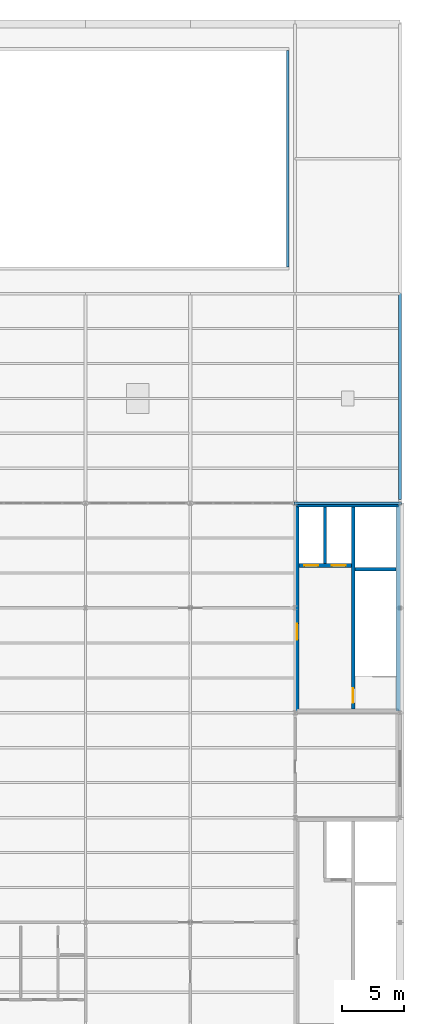
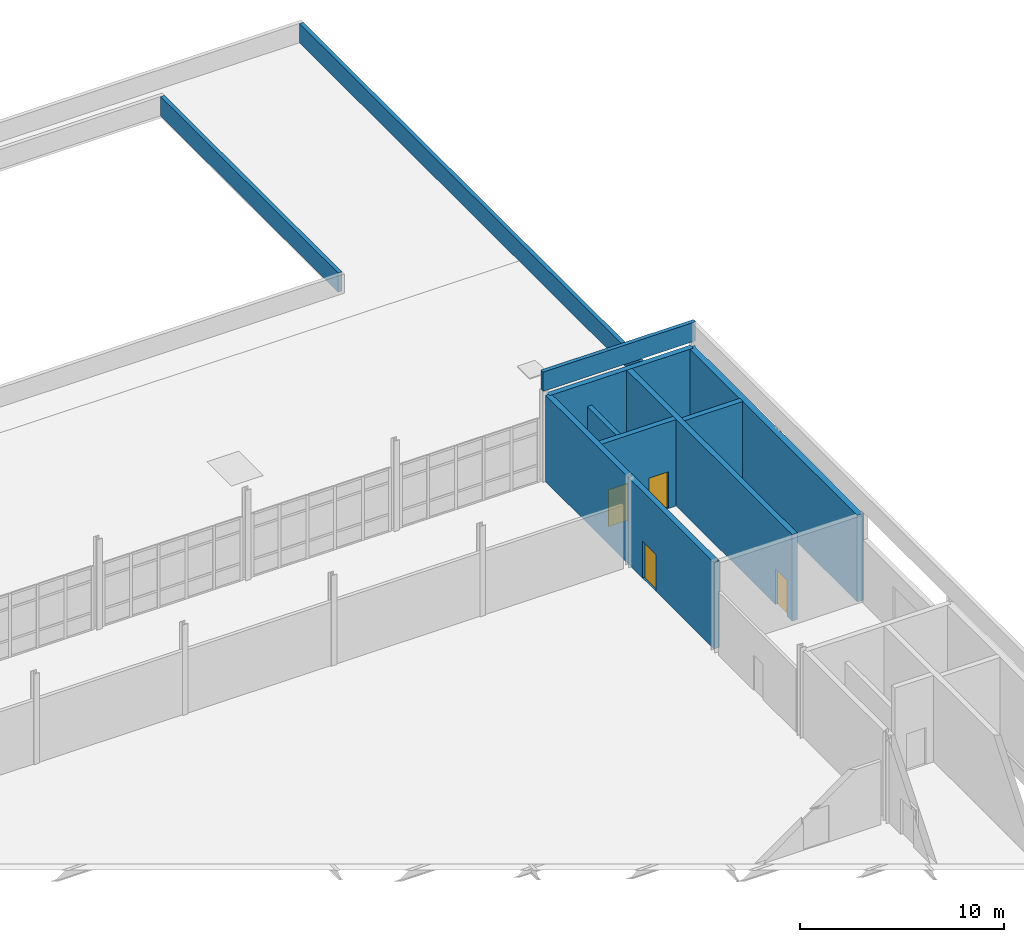
# One storey, part 32 of 33: 10 walls, 4 doors, 4 openings.
"""IFC4 building model written with IfcOpenShell, lengths in metres."""

import ifcopenshell
import ifcopenshell.guid

model = None  # the IFC model being written
_history = None  # IfcOwnerHistory: only IFC2X3 demands one
_inside = {}  # id of a spatial element -> (the spatial element, [elements in it])
_under = {}  # id of a project, library or spatial element -> (it, [spatial elements below it])
_declared = {}  # id of a project -> (the project, [libraries it declares])
_typed = {}  # id of a type object -> (the type object, [elements of that type])
_made_of = {}  # id of a material, layer set ... -> (it, [elements and type objects made of it])


def new_model(schema):
    """Start an empty IFC model of exactly this schema.

    Asked for "IFC4X3", IfcOpenShell would pick the latest addendum, in which some entities
    have other attributes; the version numbers below select the first issue.
    IFC2X3 requires an IfcOwnerHistory on every rooted entity: one is made here for all.
    """
    global model, _history
    if schema == "IFC4X3":
        model = ifcopenshell.file(schema_version=(4, 3, 0, 0))
    else:
        model = ifcopenshell.file(schema=schema)
    _inside.clear()
    _under.clear()
    _declared.clear()
    _typed.clear()
    _made_of.clear()
    _history = None
    if model.schema == "IFC2X3":
        org = make("IfcOrganization", Name="unknown")
        user = make(
            "IfcPersonAndOrganization",
            ThePerson=make("IfcPerson", FamilyName="unknown"),
            TheOrganization=org,
        )
        app = make(
            "IfcApplication",
            ApplicationDeveloper=org,
            Version="unknown",
            ApplicationFullName="unknown",
            ApplicationIdentifier="unknown",
        )
        _history = make(
            "IfcOwnerHistory",
            OwningUser=user,
            OwningApplication=app,
            ChangeAction="ADDED",
            CreationDate=0,
        )
    return model


def make(cls, **values):
    """One entity of the class cls with the attributes given. An attribute that is None is left unset."""
    return model.create_entity(
        cls, **{name: value for name, value in values.items() if value is not None}
    )


def rooted(cls, **values):
    """An entity with a GlobalId (a new one), such as an element, a storey or a relation."""
    return make(cls, GlobalId=ifcopenshell.guid.new(), OwnerHistory=_history, **values)


def si_unit(unit_type, name, prefix=None):
    """IfcSIUnit, for example si_unit("LENGTHUNIT", "METRE", prefix="MILLI")."""
    return make("IfcSIUnit", UnitType=unit_type, Prefix=prefix, Name=name)


def assignment(units):
    """IfcUnitAssignment: the units of a project."""
    return None if units is None else make("IfcUnitAssignment", Units=units)


def point(xyz):
    """IfcCartesianPoint."""
    return None if xyz is None else make("IfcCartesianPoint", Coordinates=xyz)


def direction(xyz):
    """IfcDirection."""
    return None if xyz is None else make("IfcDirection", DirectionRatios=xyz)


def frame(location, z_axis=None, x_axis=None):
    """IfcAxis2Placement3D, a coordinate frame: its origin and axes. An axis left out is left unset."""
    return make(
        "IfcAxis2Placement3D",
        Location=point(location),
        Axis=direction(z_axis),
        RefDirection=direction(x_axis),
    )


def frame_2d(location, x_axis=None):
    """IfcAxis2Placement2D, a coordinate frame in the plane: its origin and x axis."""
    return make(
        "IfcAxis2Placement2D", Location=point(location), RefDirection=direction(x_axis)
    )


def origin():
    """The frame at (0, 0, 0) with its axes left unset."""
    return frame((0.0, 0.0, 0.0))


def place(relative_to, where):
    """IfcLocalPlacement: puts the frame where relative to a parent placement (None: the world)."""
    return make(
        "IfcLocalPlacement", PlacementRelTo=relative_to, RelativePlacement=where
    )


def context(
    kind, dimensions, precision=None, world=None, true_north=None, identifier=None
):
    """IfcGeometricRepresentationContext, for example the 3D "Model" context."""
    return make(
        "IfcGeometricRepresentationContext",
        ContextIdentifier=identifier,
        ContextType=kind,
        CoordinateSpaceDimension=dimensions,
        Precision=precision,
        WorldCoordinateSystem=world,
        TrueNorth=true_north,
    )


def subcontext(parent, identifier, kind, view, scale=None):
    """IfcGeometricRepresentationSubContext, for example "Body" below "Model"."""
    return make(
        "IfcGeometricRepresentationSubContext",
        ContextIdentifier=identifier,
        ContextType=kind,
        ParentContext=parent,
        TargetScale=scale,
        TargetView=view,
    )


def project(units=None, contexts=None):
    """IfcProject with its units and contexts."""
    return rooted(
        "IfcProject",
        Name="project",
        RepresentationContexts=contexts,
        UnitsInContext=assignment(units),
    )


def spatial(cls, under=None, at=None, **own):
    """A site, building, storey or space (cls), placed at a placement, below another one or the project."""
    s = rooted(cls, ObjectPlacement=at, **own)
    if under is not None:
        _under.setdefault(under.id(), (under, []))[1].append(s)
    return s


def profile(cls, at=None, kind="AREA", **sizes):
    """A parametric profile (cls). Its sizes go by their IFC names, for example OverallWidth=200.0."""
    return make(cls, ProfileType=kind, Position=at, **sizes)


def rectangle(**sizes):
    """IfcRectangleProfileDef."""
    return profile("IfcRectangleProfileDef", **sizes)


def extrude(swept, where, along, depth):
    """IfcExtrudedAreaSolid: the profile swept, set in the frame where, extruded along a direction by depth."""
    return make(
        "IfcExtrudedAreaSolid",
        SweptArea=swept,
        Position=where,
        ExtrudedDirection=direction(along),
        Depth=depth,
    )


def shape(context_of_items, identifier, shape_type, items):
    """IfcShapeRepresentation: the items that make up one representation, for example the "Body"."""
    return make(
        "IfcShapeRepresentation",
        ContextOfItems=context_of_items,
        RepresentationIdentifier=identifier,
        RepresentationType=shape_type,
        Items=items,
    )


def material(Name=None, Category=None):
    """IfcMaterial."""
    return make("IfcMaterial", Name=Name, Category=Category)


def layer(
    of_material, thickness, ventilated=None, Name=None, Category=None, Priority=None
):
    """IfcMaterialLayer: one layer of a wall or slab, of a material (None: an air gap)."""
    return make(
        "IfcMaterialLayer",
        Material=of_material,
        LayerThickness=thickness,
        IsVentilated=ventilated,
        Name=Name,
        Category=Category,
        Priority=Priority,
    )


def layer_set(layers, Name=None):
    """IfcMaterialLayerSet."""
    return make("IfcMaterialLayerSet", MaterialLayers=layers, LayerSetName=Name)


def made_of(thing, what):
    """Note that an element or type object is made of a material, layer set ...; save() writes the relation."""
    if what is not None:
        _made_of.setdefault(what.id(), (what, []))[1].append(thing)
    return thing


def type_object(cls, material=None, **own):
    """A type object (cls), such as IfcWallType, which elements share."""
    return made_of(rooted(cls, **own), material)


def element(
    cls,
    number,
    at=None,
    inside=None,
    cuts=None,
    type_object=None,
    material=None,
    context=None,
    identifier="Body",
    shape_type=None,
    held_by="IfcProductDefinitionShape",
    body=None,
    shapes=None,
    **own,
):
    """One element of the class cls, such as IfcWall. Its Tag is "e" and its number.

    at: its placement. inside: the storey or other place that contains it. cuts: it is an
    opening in that element (IfcRelVoidsElement). A single representation is given by context,
    identifier, shape_type and body (its items); several are given by shapes. held_by: the class
    of the entity that holds the representations. save() writes the other relations.
    """
    e = rooted(cls, Tag="e%d" % number, ObjectPlacement=at, **own)
    if body is not None:
        shapes = [shape(context, identifier, shape_type, body)]
    if shapes is not None:
        e.Representation = make(held_by, Representations=shapes)
    if inside is not None:
        _inside.setdefault(inside.id(), (inside, []))[1].append(e)
    if cuts is not None:
        rooted(
            "IfcRelVoidsElement", RelatingBuildingElement=cuts, RelatedOpeningElement=e
        )
    if type_object is not None:
        _typed.setdefault(type_object.id(), (type_object, []))[1].append(e)
    return made_of(e, material)


def fill(opening, filler):
    """IfcRelFillsElement: the door or window that sits in an opening."""
    return rooted(
        "IfcRelFillsElement",
        RelatingOpeningElement=opening,
        RelatedBuildingElement=filler,
    )


def aggregate(whole, parts):
    """IfcRelAggregates: a whole, such as a stair, and the parts it consists of."""
    return rooted("IfcRelAggregates", RelatingObject=whole, RelatedObjects=parts)


def save(model, path):
    """Write the relations noted so far, then the file.

    IfcRelAggregates (storeys below a building ...), IfcRelContainedInSpatialStructure (elements
    in a storey), IfcRelDefinesByType, IfcRelAssociatesMaterial and IfcRelDeclares: one each for
    every whole, place, type object, material and project.
    """
    for whole, parts in _under.values():
        aggregate(whole, parts)
    for where, things in _inside.values():
        rooted(
            "IfcRelContainedInSpatialStructure",
            RelatedElements=things,
            RelatingStructure=where,
        )
    for kind, things in _typed.values():
        rooted("IfcRelDefinesByType", RelatedObjects=things, RelatingType=kind)
    for what, things in _made_of.values():
        rooted("IfcRelAssociatesMaterial", RelatedObjects=things, RelatingMaterial=what)
    for by, libraries in _declared.values():
        rooted("IfcRelDeclares", RelatingContext=by, RelatedDefinitions=libraries)
    model.write(path)


model = new_model("IFC4")

# Units and contexts
model_context = context("Model", 3, precision=1e-05, world=origin(), true_north=direction((0.0, 1.0)))
body_context = subcontext(model_context, "Body", "Model", "MODEL_VIEW")
ifc_project = project(units=[si_unit("LENGTHUNIT", "METRE"), si_unit("AREAUNIT", "SQUARE_METRE"), si_unit("VOLUMEUNIT", "CUBIC_METRE"), si_unit("PLANEANGLEUNIT", "RADIAN"), si_unit("MASSUNIT", "GRAM", prefix="KILO"), si_unit("THERMODYNAMICTEMPERATUREUNIT", "KELVIN"), si_unit("POWERUNIT", "WATT")], contexts=[model_context])

# Site, building, storey
site_placement = place(None, origin())
site = spatial("IfcSite", under=ifc_project, at=site_placement, CompositionType="ELEMENT")
building_placement = place(site_placement, origin())
building = spatial("IfcBuilding", under=site, at=building_placement, Name="Tembeka Court Mobility Hub", CompositionType="ELEMENT")
storey_placement = place(building_placement, frame((0.0, 0.0, 23.39990234375)))
storey = spatial("IfcBuildingStorey", under=building, at=storey_placement, Name="L06", CompositionType="ELEMENT", Elevation=23.39990234375)

# Walls
ifc_material_1 = material(Name="Concrete C40/50", Category="concrete")
ifc_layer_1 = layer(ifc_material_1, 0.25)
ifc_layer_set_1 = layer_set([ifc_layer_1], Name="Concrete C40/50")
wall_type_1 = type_object("IfcWallType", Name="WL-IW01", PredefinedType="PARTITIONING", material=ifc_layer_set_1)
wall_1_placement = place(storey_placement, frame((86.39990234375, 75.550048828125, 0.0), z_axis=(0.0, 0.0, 1.0), x_axis=(0.0, 1.0, 0.0)))
element("IfcWall", 1, at=wall_1_placement, inside=storey, type_object=wall_type_1, Name="Wall IW01 (IW-L06-0128)", PredefinedType="PARTITIONING", context=body_context, shape_type="SweptSolid", body=[
    extrude(rectangle(XDim=4.550048828125, YDim=0.25, at=frame_2d((2.27490234375, 0.0))), origin(), (0.0, 0.0, 1.0), 3.78515625),
])
ifc_material_2 = material(Name="Precast concrete C45/55", Category="concrete")
ifc_layer_2 = layer(ifc_material_2, 0.219970703125)
ifc_layer_set_2 = layer_set([ifc_layer_2], Name="Precast concrete C45/55")
wall_type_2 = type_object("IfcWallType", Name="WL-PP01", PredefinedType="PARAPET", material=ifc_layer_set_2)
wall_2_placement = place(storey_placement, frame((92.39990234375, 80.715087890625, 0.0), z_axis=(0.0, 0.0, 1.0), x_axis=(0.0, 1.0, 0.0)))
element("IfcWall", 2, at=wall_2_placement, inside=storey, type_object=wall_type_2, Name="Roof parapet wall PP01-13", PredefinedType="PARAPET", context=body_context, shape_type="SweptSolid", body=[
    extrude(rectangle(XDim=37.969970703125, YDim=0.219970703125, at=frame_2d((18.98486328125, 0.0))), origin(), (0.0, 0.0, 1.0), 1.150146484375),
])
wall_3_placement = place(storey_placement, frame((83.39990234375, 99.31494140625, 0.0), z_axis=(0.0, 0.0, 1.0), x_axis=(0.0, 1.0, 0.0)))
element("IfcWall", 3, at=wall_3_placement, inside=storey, type_object=wall_type_2, Name="Roof parapet wall PP01-31", PredefinedType="PARAPET", context=body_context, shape_type="SweptSolid", body=[
    extrude(rectangle(XDim=17.3701171875, YDim=0.219970703125, at=frame_2d((8.68505859375, 0.0))), origin(), (0.0, 0.0, 1.0), 1.150146484375),
])
wall_4_placement = place(storey_placement, frame((83.889892578125, 80.39990234375, 5.400146484375), z_axis=(0.0, 0.0, 1.0), x_axis=(1.0, 0.0, 0.0)))
element("IfcWall", 4, at=wall_4_placement, inside=storey, type_object=wall_type_2, Name="Roof parapet wall PP01-38", PredefinedType="PARAPET", context=body_context, shape_type="SweptSolid", body=[
    extrude(rectangle(XDim=8.6201171875, YDim=0.219970703125, at=frame_2d((4.31005859375, 0.0))), origin(), (0.0, 0.0, 1.0), 1.14990234375),
])
ifc_layer_3 = layer(ifc_material_1, 0.300048828125)
ifc_layer_set_3 = layer_set([ifc_layer_3], Name="Concrete C40/50")
wall_type_3 = type_object("IfcWallType", Name="WL-SW01", PredefinedType="SHEAR", material=ifc_layer_set_3)
wall_5_placement = place(storey_placement, frame((84.152587890625, 80.25, 0.0), z_axis=(0.0, 0.0, 1.0), x_axis=(1.0, 0.0, 0.0)))
element("IfcWall", 5, at=wall_5_placement, inside=storey, type_object=wall_type_3, Name="Wall SW01 (IW-L06-0122)", PredefinedType="SHEAR", context=body_context, shape_type="SweptSolid", body=[
    extrude(rectangle(XDim=8.121337890625, YDim=0.300048828125, at=frame_2d((4.060546875, 0.0))), origin(), (0.0, 0.0, 1.0), 5.170166015625),
])
wall_6_placement = place(storey_placement, frame((88.800048828125, 75.10009765625, 0.0), z_axis=(0.0, 0.0, 1.0), x_axis=(1.0, 0.0, 0.0)))
element("IfcWall", 6, at=wall_6_placement, inside=storey, type_object=wall_type_3, Name="Wall SW01 (IW-L06-0123)", PredefinedType="SHEAR", context=body_context, shape_type="SweptSolid", body=[
    extrude(rectangle(XDim=3.300048828125, YDim=0.300048828125, at=frame_2d((1.64990234375, 0.0))), origin(), (0.0, 0.0, 1.0), 5.170166015625),
])

# Wall, opening, door
wall_7_placement = place(storey_placement, frame((84.14990234375, 63.758544921875, 0.0), z_axis=(0.0, 0.0, 1.0), x_axis=(0.0, 1.0, 0.0)))
wall_7 = element("IfcWall", 7, at=wall_7_placement, inside=storey, type_object=wall_type_3, Name="Wall SW01 (IW-L06-0125)", PredefinedType="SHEAR", context=body_context, shape_type="SweptSolid", body=[
    extrude(rectangle(XDim=16.48291015625, YDim=0.300048828125, at=frame_2d((8.241455078125, 0.0))), origin(), (0.0, 0.0, 1.0), 5.170166015625),
])
opening_1_placement = place(wall_7_placement, frame((5.69140625, 0.0, 0.0)))
opening_1 = element("IfcOpeningElement", 8, at=opening_1_placement, cuts=wall_7, Name="Opening FD02", PredefinedType="OPENING", context=body_context, shape_type="SweptSolid", body=[
    extrude(rectangle(XDim=1.300048828125, YDim=2.199951171875, at=frame_2d((0.64990234375, 1.10009765625))), frame((0.0, 0.16015625, 0.0), z_axis=(0.0, -1.0, 0.0), x_axis=(1.0, 0.0, 0.0)), (0.0, 0.0, 1.0), 0.320068359375),
])
ifc_material_3 = material(Name="Galvanised steel fire/shutter doorset", Category="steel")
door_type_1 = type_object("IfcDoorType", Name="DR-FD02", OperationType="NOTDEFINED", PredefinedType="DOOR", material=ifc_material_3)
door_1_placement = place(opening_1_placement, origin())
door_1 = element("IfcDoor", 9, at=door_1_placement, inside=storey, type_object=door_type_1, Name="Door FD02-0063", OperationType="SINGLE_SWING_LEFT", OverallHeight=2.199951171875, OverallWidth=1.300048828125, PredefinedType="DOOR", context=body_context, shape_type="SweptSolid", body=[
    extrude(rectangle(XDim=1.300048828125, YDim=2.199951171875, at=frame_2d((0.64990234375, 1.10009765625))), frame((0.0, 0.02490234375, 0.0), z_axis=(0.0, -1.0, 0.0), x_axis=(1.0, 0.0, 0.0)), (0.0, 0.0, 1.0), 0.050048828125),
])
fill(opening_1, door_1)

wall_8_placement = place(storey_placement, frame((88.64990234375, 63.89990234375, 0.0), z_axis=(0.0, 0.0, 1.0), x_axis=(0.0, 1.0, 0.0)))
wall_8 = element("IfcWall", 10, at=wall_8_placement, inside=storey, type_object=wall_type_3, Name="Wall SW01 (IW-L06-0126)", PredefinedType="SHEAR", context=body_context, shape_type="SweptSolid", body=[
    extrude(rectangle(XDim=16.2001953125, YDim=0.300048828125, at=frame_2d((8.10009765625, 0.0))), origin(), (0.0, 0.0, 1.0), 5.170166015625),
])
opening_2_placement = place(wall_8_placement, frame((0.5, 0.0, 0.0)))
opening_2 = element("IfcOpeningElement", 11, at=opening_2_placement, cuts=wall_8, Name="Opening FD03", PredefinedType="OPENING", context=body_context, shape_type="SweptSolid", body=[
    extrude(rectangle(XDim=1.14990234375, YDim=2.14990234375, at=frame_2d((0.574951171875, 1.074951171875))), frame((0.0, 0.16015625, 0.0), z_axis=(0.0, -1.0, 0.0), x_axis=(1.0, 0.0, 0.0)), (0.0, 0.0, 1.0), 0.320068359375),
])
door_type_2 = type_object("IfcDoorType", Name="DR-FD03", OperationType="NOTDEFINED", PredefinedType="DOOR", material=ifc_material_3)
door_2_placement = place(opening_2_placement, origin())
door_2 = element("IfcDoor", 12, at=door_2_placement, inside=storey, type_object=door_type_2, Name="Door FD03-0064", OperationType="SINGLE_SWING_RIGHT", OverallHeight=2.14990234375, OverallWidth=1.14990234375, PredefinedType="DOOR", context=body_context, shape_type="SweptSolid", body=[
    extrude(rectangle(XDim=1.14990234375, YDim=2.14990234375, at=frame_2d((0.574951171875, 1.074951171875))), frame((0.0, 0.02490234375, 0.0), z_axis=(0.0, -1.0, 0.0), x_axis=(1.0, 0.0, 0.0)), (0.0, 0.0, 1.0), 0.050048828125),
])
fill(opening_2, door_2)

# Wall, openings, doors
wall_9_placement = place(storey_placement, frame((84.300048828125, 75.39990234375, 0.0), z_axis=(0.0, 0.0, 1.0), x_axis=(1.0, 0.0, 0.0)))
wall_9 = element("IfcWall", 13, at=wall_9_placement, inside=storey, type_object=wall_type_3, Name="Wall SW01 (IW-L06-0127)", PredefinedType="SHEAR", context=body_context, shape_type="SweptSolid", body=[
    extrude(rectangle(XDim=4.199951171875, YDim=0.300048828125, at=frame_2d((2.10009765625, 0.0))), origin(), (0.0, 0.0, 1.0), 5.170166015625),
])
opening_3_placement = place(wall_9_placement, frame((0.449951171875, 0.0, 0.0)))
opening_3 = element("IfcOpeningElement", 14, at=opening_3_placement, cuts=wall_9, Name="Opening LD01", PredefinedType="OPENING", context=body_context, shape_type="SweptSolid", body=[
    extrude(rectangle(XDim=1.10009765625, YDim=2.199951171875, at=frame_2d((0.550048828125, 1.10009765625))), frame((0.0, 0.16015625, 0.0), z_axis=(0.0, -1.0, 0.0), x_axis=(1.0, 0.0, 0.0)), (0.0, 0.0, 1.0), 0.320068359375),
])
opening_4_placement = place(wall_9_placement, frame((2.64990234375, 0.0, 0.0)))
opening_4 = element("IfcOpeningElement", 15, at=opening_4_placement, cuts=wall_9, Name="Opening LD01", PredefinedType="OPENING", context=body_context, shape_type="SweptSolid", body=[
    extrude(rectangle(XDim=1.10009765625, YDim=2.199951171875, at=frame_2d((0.550048828125, 1.10009765625))), frame((0.0, 0.16015625, 0.0), z_axis=(0.0, -1.0, 0.0), x_axis=(1.0, 0.0, 0.0)), (0.0, 0.0, 1.0), 0.320068359375),
])
door_type_3 = type_object("IfcDoorType", Name="DR-LD01", OperationType="SLIDING_TO_LEFT", PredefinedType="DOOR", material=ifc_material_3)
door_3_placement = place(opening_3_placement, origin())
door_3 = element("IfcDoor", 16, at=door_3_placement, inside=storey, type_object=door_type_3, Name="Lift LF02 landing door L06", OperationType="SLIDING_TO_LEFT", OverallHeight=2.199951171875, OverallWidth=1.10009765625, PredefinedType="DOOR", context=body_context, shape_type="SweptSolid", body=[
    extrude(rectangle(XDim=1.10009765625, YDim=2.199951171875, at=frame_2d((0.550048828125, 1.10009765625))), frame((0.0, 0.02490234375, 0.0), z_axis=(0.0, -1.0, 0.0), x_axis=(1.0, 0.0, 0.0)), (0.0, 0.0, 1.0), 0.050048828125),
])
fill(opening_3, door_3)
door_4_placement = place(opening_4_placement, origin())
door_4 = element("IfcDoor", 17, at=door_4_placement, inside=storey, type_object=door_type_3, Name="Lift LF04 landing door L06", OperationType="SLIDING_TO_LEFT", OverallHeight=2.199951171875, OverallWidth=1.10009765625, PredefinedType="DOOR", context=body_context, shape_type="SweptSolid", body=[
    extrude(rectangle(XDim=1.10009765625, YDim=2.199951171875, at=frame_2d((0.550048828125, 1.10009765625))), frame((0.0, 0.02490234375, 0.0), z_axis=(0.0, -1.0, 0.0), x_axis=(1.0, 0.0, 0.0)), (0.0, 0.0, 1.0), 0.050048828125),
])
fill(opening_4, door_4)

# Wall
ifc_layer_4 = layer(ifc_material_1, 0.35009765625)
ifc_layer_set_4 = layer_set([ifc_layer_4], Name="Concrete C40/50")
wall_type_4 = type_object("IfcWallType", Name="WL-SW02", PredefinedType="SHEAR", material=ifc_layer_set_4)
wall_10_placement = place(storey_placement, frame((92.25, 63.72802734375, 0.0), z_axis=(0.0, 0.0, 1.0), x_axis=(0.0, 1.0, 0.0)))
element("IfcWall", 18, at=wall_10_placement, inside=storey, type_object=wall_type_4, Name="Wall SW02 (IW-L06-0124)", PredefinedType="SHEAR", context=body_context, shape_type="SweptSolid", body=[
    extrude(rectangle(XDim=16.5439453125, YDim=0.35009765625, at=frame_2d((8.27197265625, 0.0))), origin(), (0.0, 0.0, 1.0), 5.170166015625),
])

save(model, "model.ifc")
